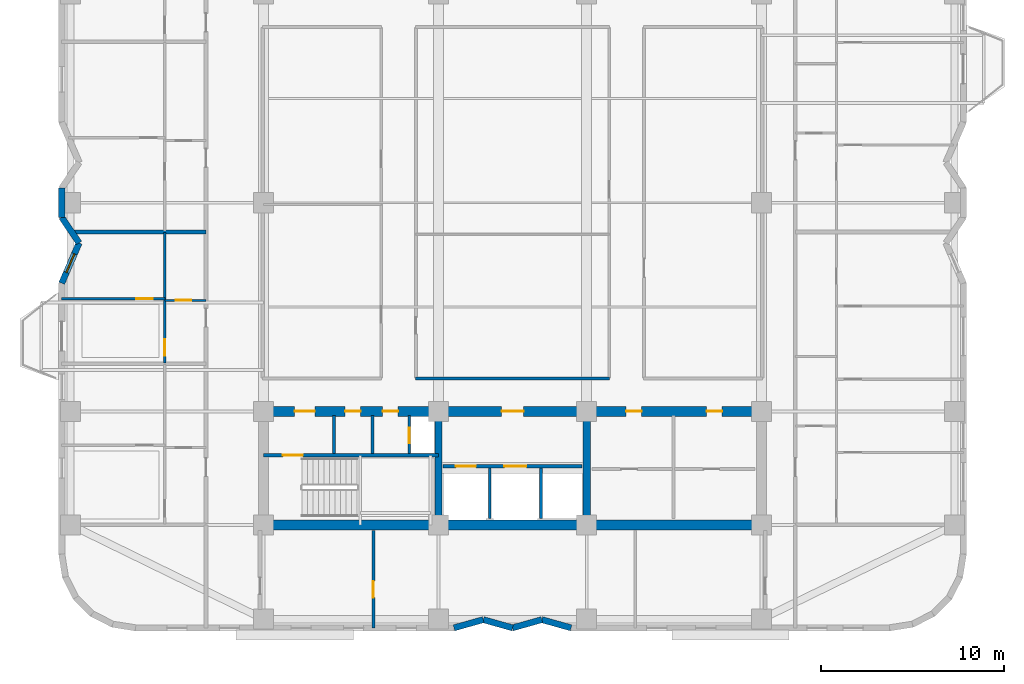
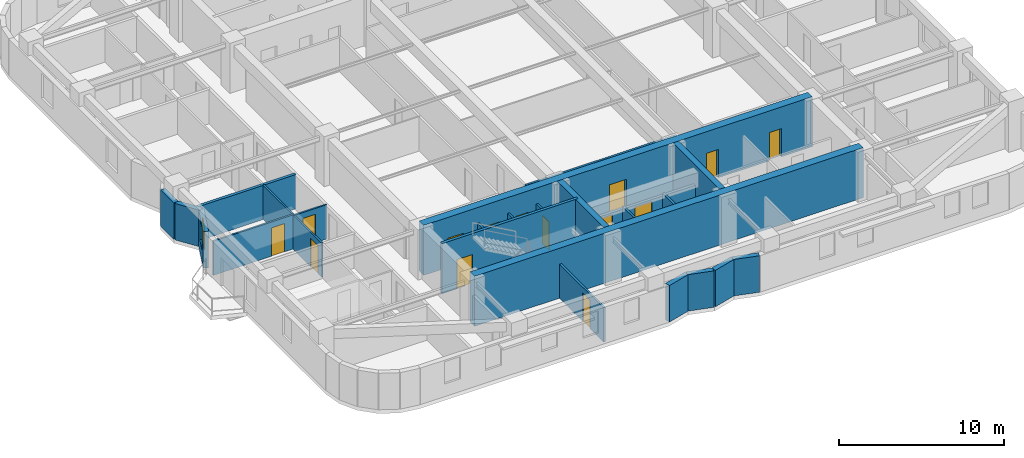
# One storey, part 3 of 10: 24 walls, 14 doors, 1 window, 15 openings.
"""IFC4 building model written with IfcOpenShell, lengths in metres."""

import ifcopenshell
import ifcopenshell.guid

model = None  # the IFC model being written
_history = None  # IfcOwnerHistory: only IFC2X3 demands one
_inside = {}  # id of a spatial element -> (the spatial element, [elements in it])
_under = {}  # id of a project, library or spatial element -> (it, [spatial elements below it])
_declared = {}  # id of a project -> (the project, [libraries it declares])
_typed = {}  # id of a type object -> (the type object, [elements of that type])
_made_of = {}  # id of a material, layer set ... -> (it, [elements and type objects made of it])


def new_model(schema):
    """Start an empty IFC model of exactly this schema.

    Asked for "IFC4X3", IfcOpenShell would pick the latest addendum, in which some entities
    have other attributes; the version numbers below select the first issue.
    IFC2X3 requires an IfcOwnerHistory on every rooted entity: one is made here for all.
    """
    global model, _history
    if schema == "IFC4X3":
        model = ifcopenshell.file(schema_version=(4, 3, 0, 0))
    else:
        model = ifcopenshell.file(schema=schema)
    _inside.clear()
    _under.clear()
    _declared.clear()
    _typed.clear()
    _made_of.clear()
    _history = None
    if model.schema == "IFC2X3":
        org = make("IfcOrganization", Name="unknown")
        user = make(
            "IfcPersonAndOrganization",
            ThePerson=make("IfcPerson", FamilyName="unknown"),
            TheOrganization=org,
        )
        app = make(
            "IfcApplication",
            ApplicationDeveloper=org,
            Version="unknown",
            ApplicationFullName="unknown",
            ApplicationIdentifier="unknown",
        )
        _history = make(
            "IfcOwnerHistory",
            OwningUser=user,
            OwningApplication=app,
            ChangeAction="ADDED",
            CreationDate=0,
        )
    return model


def make(cls, **values):
    """One entity of the class cls with the attributes given. An attribute that is None is left unset."""
    return model.create_entity(
        cls, **{name: value for name, value in values.items() if value is not None}
    )


def rooted(cls, **values):
    """An entity with a GlobalId (a new one), such as an element, a storey or a relation."""
    return make(cls, GlobalId=ifcopenshell.guid.new(), OwnerHistory=_history, **values)


def si_unit(unit_type, name, prefix=None):
    """IfcSIUnit, for example si_unit("LENGTHUNIT", "METRE", prefix="MILLI")."""
    return make("IfcSIUnit", UnitType=unit_type, Prefix=prefix, Name=name)


def assignment(units):
    """IfcUnitAssignment: the units of a project."""
    return None if units is None else make("IfcUnitAssignment", Units=units)


def point(xyz):
    """IfcCartesianPoint."""
    return None if xyz is None else make("IfcCartesianPoint", Coordinates=xyz)


def direction(xyz):
    """IfcDirection."""
    return None if xyz is None else make("IfcDirection", DirectionRatios=xyz)


def frame(location, z_axis=None, x_axis=None):
    """IfcAxis2Placement3D, a coordinate frame: its origin and axes. An axis left out is left unset."""
    return make(
        "IfcAxis2Placement3D",
        Location=point(location),
        Axis=direction(z_axis),
        RefDirection=direction(x_axis),
    )


def frame_2d(location, x_axis=None):
    """IfcAxis2Placement2D, a coordinate frame in the plane: its origin and x axis."""
    return make(
        "IfcAxis2Placement2D", Location=point(location), RefDirection=direction(x_axis)
    )


def origin():
    """The frame at (0, 0, 0) with its axes left unset."""
    return frame((0.0, 0.0, 0.0))


def place(relative_to, where):
    """IfcLocalPlacement: puts the frame where relative to a parent placement (None: the world)."""
    return make(
        "IfcLocalPlacement", PlacementRelTo=relative_to, RelativePlacement=where
    )


def context(
    kind, dimensions, precision=None, world=None, true_north=None, identifier=None
):
    """IfcGeometricRepresentationContext, for example the 3D "Model" context."""
    return make(
        "IfcGeometricRepresentationContext",
        ContextIdentifier=identifier,
        ContextType=kind,
        CoordinateSpaceDimension=dimensions,
        Precision=precision,
        WorldCoordinateSystem=world,
        TrueNorth=true_north,
    )


def subcontext(parent, identifier, kind, view, scale=None):
    """IfcGeometricRepresentationSubContext, for example "Body" below "Model"."""
    return make(
        "IfcGeometricRepresentationSubContext",
        ContextIdentifier=identifier,
        ContextType=kind,
        ParentContext=parent,
        TargetScale=scale,
        TargetView=view,
    )


def project(units=None, contexts=None):
    """IfcProject with its units and contexts."""
    return rooted(
        "IfcProject",
        Name="project",
        RepresentationContexts=contexts,
        UnitsInContext=assignment(units),
    )


def spatial(cls, under=None, at=None, **own):
    """A site, building, storey or space (cls), placed at a placement, below another one or the project."""
    s = rooted(cls, ObjectPlacement=at, **own)
    if under is not None:
        _under.setdefault(under.id(), (under, []))[1].append(s)
    return s


def profile(cls, at=None, kind="AREA", **sizes):
    """A parametric profile (cls). Its sizes go by their IFC names, for example OverallWidth=200.0."""
    return make(cls, ProfileType=kind, Position=at, **sizes)


def rectangle(**sizes):
    """IfcRectangleProfileDef."""
    return profile("IfcRectangleProfileDef", **sizes)


def extrude(swept, where, along, depth):
    """IfcExtrudedAreaSolid: the profile swept, set in the frame where, extruded along a direction by depth."""
    return make(
        "IfcExtrudedAreaSolid",
        SweptArea=swept,
        Position=where,
        ExtrudedDirection=direction(along),
        Depth=depth,
    )


def shape(context_of_items, identifier, shape_type, items):
    """IfcShapeRepresentation: the items that make up one representation, for example the "Body"."""
    return make(
        "IfcShapeRepresentation",
        ContextOfItems=context_of_items,
        RepresentationIdentifier=identifier,
        RepresentationType=shape_type,
        Items=items,
    )


def material(Name=None, Category=None):
    """IfcMaterial."""
    return make("IfcMaterial", Name=Name, Category=Category)


def layer(
    of_material, thickness, ventilated=None, Name=None, Category=None, Priority=None
):
    """IfcMaterialLayer: one layer of a wall or slab, of a material (None: an air gap)."""
    return make(
        "IfcMaterialLayer",
        Material=of_material,
        LayerThickness=thickness,
        IsVentilated=ventilated,
        Name=Name,
        Category=Category,
        Priority=Priority,
    )


def layer_set(layers, Name=None):
    """IfcMaterialLayerSet."""
    return make("IfcMaterialLayerSet", MaterialLayers=layers, LayerSetName=Name)


def made_of(thing, what):
    """Note that an element or type object is made of a material, layer set ...; save() writes the relation."""
    if what is not None:
        _made_of.setdefault(what.id(), (what, []))[1].append(thing)
    return thing


def type_object(cls, material=None, **own):
    """A type object (cls), such as IfcWallType, which elements share."""
    return made_of(rooted(cls, **own), material)


def element(
    cls,
    number,
    at=None,
    inside=None,
    cuts=None,
    type_object=None,
    material=None,
    context=None,
    identifier="Body",
    shape_type=None,
    held_by="IfcProductDefinitionShape",
    body=None,
    shapes=None,
    **own,
):
    """One element of the class cls, such as IfcWall. Its Tag is "e" and its number.

    at: its placement. inside: the storey or other place that contains it. cuts: it is an
    opening in that element (IfcRelVoidsElement). A single representation is given by context,
    identifier, shape_type and body (its items); several are given by shapes. held_by: the class
    of the entity that holds the representations. save() writes the other relations.
    """
    e = rooted(cls, Tag="e%d" % number, ObjectPlacement=at, **own)
    if body is not None:
        shapes = [shape(context, identifier, shape_type, body)]
    if shapes is not None:
        e.Representation = make(held_by, Representations=shapes)
    if inside is not None:
        _inside.setdefault(inside.id(), (inside, []))[1].append(e)
    if cuts is not None:
        rooted(
            "IfcRelVoidsElement", RelatingBuildingElement=cuts, RelatedOpeningElement=e
        )
    if type_object is not None:
        _typed.setdefault(type_object.id(), (type_object, []))[1].append(e)
    return made_of(e, material)


def fill(opening, filler):
    """IfcRelFillsElement: the door or window that sits in an opening."""
    return rooted(
        "IfcRelFillsElement",
        RelatingOpeningElement=opening,
        RelatedBuildingElement=filler,
    )


def aggregate(whole, parts):
    """IfcRelAggregates: a whole, such as a stair, and the parts it consists of."""
    return rooted("IfcRelAggregates", RelatingObject=whole, RelatedObjects=parts)


def save(model, path):
    """Write the relations noted so far, then the file.

    IfcRelAggregates (storeys below a building ...), IfcRelContainedInSpatialStructure (elements
    in a storey), IfcRelDefinesByType, IfcRelAssociatesMaterial and IfcRelDeclares: one each for
    every whole, place, type object, material and project.
    """
    for whole, parts in _under.values():
        aggregate(whole, parts)
    for where, things in _inside.values():
        rooted(
            "IfcRelContainedInSpatialStructure",
            RelatedElements=things,
            RelatingStructure=where,
        )
    for kind, things in _typed.values():
        rooted("IfcRelDefinesByType", RelatedObjects=things, RelatingType=kind)
    for what, things in _made_of.values():
        rooted("IfcRelAssociatesMaterial", RelatedObjects=things, RelatingMaterial=what)
    for by, libraries in _declared.values():
        rooted("IfcRelDeclares", RelatingContext=by, RelatedDefinitions=libraries)
    model.write(path)


model = new_model("IFC4")

# Units and contexts
model_context = context("Model", 3, precision=1e-05, world=origin(), true_north=direction((0.0, 1.0)))
body_context = subcontext(model_context, "Body", "Model", "MODEL_VIEW")
ifc_project = project(units=[si_unit("LENGTHUNIT", "METRE"), si_unit("AREAUNIT", "SQUARE_METRE"), si_unit("VOLUMEUNIT", "CUBIC_METRE"), si_unit("PLANEANGLEUNIT", "RADIAN"), si_unit("MASSUNIT", "GRAM", prefix="KILO")], contexts=[model_context])

# Site, building, storey
site_placement = place(None, origin())
site = spatial("IfcSite", under=ifc_project, at=site_placement, CompositionType="ELEMENT")
building_placement = place(site_placement, origin())
building = spatial("IfcBuilding", under=site, at=building_placement, Name="Svetorya Sky Lyceum", CompositionType="ELEMENT")
storey_placement = place(building_placement, frame((0.0, 0.0, 95.699951171875)))
storey = spatial("IfcBuildingStorey", under=building, at=storey_placement, Name="L23", CompositionType="ELEMENT", Elevation=95.699951171875)

# Walls
ifc_material_1 = material(Name="Concrete C40/50", Category="concrete")
ifc_layer_1 = layer(ifc_material_1, 0.39990234375)
ifc_layer_set_1 = layer_set([ifc_layer_1], Name="Concrete C40/50")
wall_type_1 = type_object("IfcWallType", Name="WL-CORE-400", PredefinedType="SHEAR", material=ifc_layer_set_1)
for number, where, z_axis, x_axis, name in (
    (1, (35.14990234375, 10.875, 0.0), (0.0, 0.0, 1.0), (0.0, 1.0, 0.0), "L23 SC Internal Shear Web WEB1"),
    (2, (43.25, 10.875, 0.0), (0.0, 0.0, 1.0), (0.0, 1.0, 0.0), "L23 SC Internal Shear Web WEB2"),
):
    element("IfcWall", number, at=place(storey_placement, frame(where, z_axis=z_axis, x_axis=x_axis)), inside=storey, type_object=wall_type_1, Name=name, PredefinedType="SHEAR", context=body_context, shape_type="SweptSolid", body=[
        extrude(rectangle(XDim=5.64990234375, YDim=0.39990234375, at=frame_2d((2.824951171875, 0.0))), origin(), (0.0, 0.0, 1.0), 3.699951171875),
    ])
ifc_material_2 = material(Name="Concrete C60/75", Category="concrete")
ifc_layer_2 = layer(ifc_material_2, 0.550048828125)
ifc_layer_set_2 = layer_set([ifc_layer_2], Name="Concrete C60/75")
wall_type_2 = type_object("IfcWallType", Name="WL-CORE-550", PredefinedType="SHEAR", material=ifc_layer_set_2)
wall_1_placement = place(storey_placement, frame((52.800048828125, 10.60009765625, 0.0), z_axis=(0.0, 0.0, 1.0), x_axis=(-1.0, 0.0, 0.0)))
element("IfcWall", 3, at=wall_1_placement, inside=storey, type_object=wall_type_2, Name="L23 SC Outer Core Shear Wall", PredefinedType="SHEAR", context=body_context, shape_type="SweptSolid", body=[
    extrude(rectangle(XDim=27.199951171875, YDim=0.550048828125, at=frame_2d((13.60009765625, 0.0))), origin(), (0.0, 0.0, 1.0), 3.699951171875),
])

# Wall, openings, doors
wall_2_placement = place(storey_placement, frame((25.60009765625, 16.800048828125, 0.0), z_axis=(0.0, 0.0, 1.0), x_axis=(1.0, 0.0, 0.0)))
wall_2 = element("IfcWall", 4, at=wall_2_placement, inside=storey, type_object=wall_type_2, Name="L23 SC Inner Core Shear Wall", PredefinedType="SHEAR", context=body_context, shape_type="SweptSolid", body=[
    extrude(rectangle(XDim=27.199951171875, YDim=0.550048828125, at=frame_2d((13.60009765625, 0.0))), origin(), (0.0, 0.0, 1.0), 3.699951171875),
])
opening_1_placement = place(wall_2_placement, frame((1.699951171875, 0.0, 0.0)))
opening_1 = element("IfcOpeningElement", 5, at=opening_1_placement, cuts=wall_2, Name="Opening D-ST1", PredefinedType="OPENING", context=body_context, shape_type="SweptSolid", body=[
    extrude(rectangle(XDim=1.10009765625, YDim=2.14990234375, at=frame_2d((0.550048828125, 1.074951171875))), frame((0.0, 0.284912109375, 0.0), z_axis=(0.0, -1.0, 0.0), x_axis=(1.0, 0.0, 0.0)), (0.0, 0.0, 1.0), 0.570068359375),
])
opening_2_placement = place(wall_2_placement, frame((4.449951171875, 0.0, 0.0)))
opening_2 = element("IfcOpeningElement", 6, at=opening_2_placement, cuts=wall_2, Name="Opening D-CWC1", PredefinedType="OPENING", context=body_context, shape_type="SweptSolid", body=[
    extrude(rectangle(XDim=0.85009765625, YDim=2.10009765625, at=frame_2d((0.425048828125, 1.050048828125))), frame((0.0, 0.284912109375, 0.0), z_axis=(0.0, -1.0, 0.0), x_axis=(1.0, 0.0, 0.0)), (0.0, 0.0, 1.0), 0.570068359375),
])
opening_3_placement = place(wall_2_placement, frame((6.5, 0.0, 0.0)))
opening_3 = element("IfcOpeningElement", 7, at=opening_3_placement, cuts=wall_2, Name="Opening D-CWC1", PredefinedType="OPENING", context=body_context, shape_type="SweptSolid", body=[
    extrude(rectangle(XDim=0.85009765625, YDim=2.10009765625, at=frame_2d((0.425048828125, 1.050048828125))), frame((0.0, 0.284912109375, 0.0), z_axis=(0.0, -1.0, 0.0), x_axis=(1.0, 0.0, 0.0)), (0.0, 0.0, 1.0), 0.570068359375),
])
opening_4_placement = place(wall_2_placement, frame((13.0, 0.0, 0.0)))
opening_4 = element("IfcOpeningElement", 8, at=opening_4_placement, cuts=wall_2, Name="Opening D-FL1", PredefinedType="OPENING", context=body_context, shape_type="SweptSolid", body=[
    extrude(rectangle(XDim=1.199951171875, YDim=2.14990234375, at=frame_2d((0.60009765625, 1.074951171875))), frame((0.0, 0.284912109375, 0.0), z_axis=(0.0, -1.0, 0.0), x_axis=(1.0, 0.0, 0.0)), (0.0, 0.0, 1.0), 0.570068359375),
])
opening_5_placement = place(wall_2_placement, frame((19.800048828125, 0.0, 0.0)))
opening_5 = element("IfcOpeningElement", 9, at=opening_5_placement, cuts=wall_2, Name="Opening D-CWC1", PredefinedType="OPENING", context=body_context, shape_type="SweptSolid", body=[
    extrude(rectangle(XDim=0.85009765625, YDim=2.10009765625, at=frame_2d((0.425048828125, 1.050048828125))), frame((0.0, 0.284912109375, 0.0), z_axis=(0.0, -1.0, 0.0), x_axis=(1.0, 0.0, 0.0)), (0.0, 0.0, 1.0), 0.570068359375),
])
opening_6_placement = place(wall_2_placement, frame((24.199951171875, 0.0, 0.0)))
opening_6 = element("IfcOpeningElement", 10, at=opening_6_placement, cuts=wall_2, Name="Opening D-CWC1", PredefinedType="OPENING", context=body_context, shape_type="SweptSolid", body=[
    extrude(rectangle(XDim=0.85009765625, YDim=2.10009765625, at=frame_2d((0.425048828125, 1.050048828125))), frame((0.0, 0.284912109375, 0.0), z_axis=(0.0, -1.0, 0.0), x_axis=(1.0, 0.0, 0.0)), (0.0, 0.0, 1.0), 0.570068359375),
])
ifc_material_3 = material(Name="Fire-rated galvanized steel core service closet door", Category="steel")
door_type_1 = type_object("IfcDoorType", Name="DR-CWET-850", OperationType="SINGLE_SWING_LEFT", PredefinedType="DOOR", material=ifc_material_3)
door_1_placement = place(opening_2_placement, origin())
door_1 = element("IfcDoor", 11, at=door_1_placement, inside=storey, type_object=door_type_1, Name="L23 South Mop Closet Door", OperationType="SINGLE_SWING_LEFT", OverallHeight=2.10009765625, OverallWidth=0.85009765625, PredefinedType="DOOR", context=body_context, shape_type="SweptSolid", body=[
    extrude(rectangle(XDim=0.85009765625, YDim=2.10009765625, at=frame_2d((0.425048828125, 1.050048828125))), frame((0.0, 0.02490234375, 0.0), z_axis=(0.0, -1.0, 0.0), x_axis=(1.0, 0.0, 0.0)), (0.0, 0.0, 1.0), 0.050048828125),
])
fill(opening_2, door_1)
door_2_placement = place(opening_3_placement, origin())
door_2 = element("IfcDoor", 12, at=door_2_placement, inside=storey, type_object=door_type_1, Name="L23 South West WC Door", OperationType="SINGLE_SWING_RIGHT", OverallHeight=2.10009765625, OverallWidth=0.85009765625, PredefinedType="DOOR", context=body_context, shape_type="SweptSolid", body=[
    extrude(rectangle(XDim=0.85009765625, YDim=2.10009765625, at=frame_2d((0.425048828125, 1.050048828125))), frame((0.0, 0.02490234375, 0.0), z_axis=(0.0, -1.0, 0.0), x_axis=(1.0, 0.0, 0.0)), (0.0, 0.0, 1.0), 0.050048828125),
])
fill(opening_3, door_2)
door_3_placement = place(opening_5_placement, origin())
door_3 = element("IfcDoor", 13, at=door_3_placement, inside=storey, type_object=door_type_1, Name="L23 Housekeeping Door", OperationType="SINGLE_SWING_LEFT", OverallHeight=2.10009765625, OverallWidth=0.85009765625, PredefinedType="DOOR", context=body_context, shape_type="SweptSolid", body=[
    extrude(rectangle(XDim=0.85009765625, YDim=2.10009765625, at=frame_2d((0.425048828125, 1.050048828125))), frame((0.0, 0.02490234375, 0.0), z_axis=(0.0, -1.0, 0.0), x_axis=(1.0, 0.0, 0.0)), (0.0, 0.0, 1.0), 0.050048828125),
])
fill(opening_5, door_3)
door_4_placement = place(opening_6_placement, origin())
door_4 = element("IfcDoor", 14, at=door_4_placement, inside=storey, type_object=door_type_1, Name="L23 South WC Door", OperationType="SINGLE_SWING_RIGHT", OverallHeight=2.10009765625, OverallWidth=0.85009765625, PredefinedType="DOOR", context=body_context, shape_type="SweptSolid", body=[
    extrude(rectangle(XDim=0.85009765625, YDim=2.10009765625, at=frame_2d((0.425048828125, 1.050048828125))), frame((0.0, 0.02490234375, 0.0), z_axis=(0.0, -1.0, 0.0), x_axis=(1.0, 0.0, 0.0)), (0.0, 0.0, 1.0), 0.050048828125),
])
fill(opening_6, door_4)
ifc_material_4 = material(Name="Powder-coated insulated galvanized stair fire door")
door_type_2 = type_object("IfcDoorType", Name="DR-FIRE-1100", OperationType="SINGLE_SWING_LEFT", PredefinedType="DOOR", material=ifc_material_4)
door_5_placement = place(opening_1_placement, origin())
door_5 = element("IfcDoor", 15, at=door_5_placement, inside=storey, type_object=door_type_2, Name="L23 South Stair Airlock Door", OperationType="SINGLE_SWING_RIGHT", OverallHeight=2.14990234375, OverallWidth=1.10009765625, PredefinedType="DOOR", context=body_context, shape_type="SweptSolid", body=[
    extrude(rectangle(XDim=1.10009765625, YDim=2.14990234375, at=frame_2d((0.550048828125, 1.074951171875))), frame((0.0, 0.02490234375, 0.0), z_axis=(0.0, -1.0, 0.0), x_axis=(1.0, 0.0, 0.0)), (0.0, 0.0, 1.0), 0.050048828125),
])
fill(opening_1, door_5)
ifc_material_5 = material(Name="Powder-coated insulated galvanized fire door")
door_type_3 = type_object("IfcDoorType", Name="DR-FIRE-1200", OperationType="SINGLE_SWING_LEFT", PredefinedType="DOOR", material=ifc_material_5)
door_6_placement = place(opening_4_placement, origin())
door_6 = element("IfcDoor", 16, at=door_6_placement, inside=storey, type_object=door_type_3, Name="L23 South Firefighting Lift Lobby Door", OperationType="SINGLE_SWING_LEFT", OverallHeight=2.14990234375, OverallWidth=1.199951171875, PredefinedType="DOOR", context=body_context, shape_type="SweptSolid", body=[
    extrude(rectangle(XDim=1.199951171875, YDim=2.14990234375, at=frame_2d((0.60009765625, 1.074951171875))), frame((0.0, 0.02490234375, 0.0), z_axis=(0.0, -1.0, 0.0), x_axis=(1.0, 0.0, 0.0)), (0.0, 0.0, 1.0), 0.050048828125),
])
fill(opening_4, door_6)

# Walls
ifc_material_6 = material(Name="Putilovo limestone rainscreen on autoclaved cellular masonry", Category="masonry")
ifc_layer_3 = layer(ifc_material_6, 0.340087890625)
ifc_layer_set_3 = layer_set([ifc_layer_3], Name="Putilovo limestone rainscreen on autoclaved cellular masonry")
wall_type_3 = type_object("IfcWallType", Name="WL-EXT-340", PredefinedType="SOLIDWALL", material=ifc_layer_set_3)
wall_3_placement = place(storey_placement, frame((36.0, 4.969970703125, 0.0), z_axis=(0.0, 0.0, 1.0), x_axis=(0.962662902433, 0.270703040766, 0.0)))
element("IfcWall", 17, at=wall_3_placement, inside=storey, type_object=wall_type_3, Name="L23 Limestone Exterior Wall 7M", PredefinedType="SOLIDWALL", context=body_context, shape_type="SweptSolid", body=[
    extrude(rectangle(XDim=1.662109375, YDim=0.340087890625, at=frame_2d((0.8310546875, 0.0))), origin(), (0.0, 0.0, 1.0), 2.699951171875),
])
wall_4_placement = place(storey_placement, frame((37.60009765625, 5.419921875, 0.0), z_axis=(0.0, 0.0, 1.0), x_axis=(0.962652136636, -0.270741322725, 0.0)))
element("IfcWall", 18, at=wall_4_placement, inside=storey, type_object=wall_type_3, Name="L23 Limestone Exterior Wall 8M", PredefinedType="SOLIDWALL", context=body_context, shape_type="SweptSolid", body=[
    extrude(rectangle(XDim=1.661865234375, YDim=0.340087890625, at=frame_2d((0.8310546875, 0.0))), origin(), (0.0, 0.0, 1.0), 2.699951171875),
])
wall_5_placement = place(storey_placement, frame((39.199951171875, 4.969970703125, 0.0), z_axis=(0.0, 0.0, 1.0), x_axis=(0.962662902433, 0.270703040766, 0.0)))
element("IfcWall", 19, at=wall_5_placement, inside=storey, type_object=wall_type_3, Name="L23 Limestone Exterior Wall 9M", PredefinedType="SOLIDWALL", context=body_context, shape_type="SweptSolid", body=[
    extrude(rectangle(XDim=1.662109375, YDim=0.340087890625, at=frame_2d((0.8310546875, 0.0))), origin(), (0.0, 0.0, 1.0), 2.699951171875),
])
wall_6_placement = place(storey_placement, frame((40.800048828125, 5.419921875, 0.0), z_axis=(0.0, 0.0, 1.0), x_axis=(0.962652136636, -0.270741322725, 0.0)))
element("IfcWall", 20, at=wall_6_placement, inside=storey, type_object=wall_type_3, Name="L23 Limestone Exterior Wall 10M", PredefinedType="SOLIDWALL", context=body_context, shape_type="SweptSolid", body=[
    extrude(rectangle(XDim=1.661865234375, YDim=0.340087890625, at=frame_2d((0.8310546875, 0.0))), origin(), (0.0, 0.0, 1.0), 2.699951171875),
])
wall_7_placement = place(storey_placement, frame((14.570068359375, 29.0, 0.0), z_axis=(0.0, 0.0, 1.0), x_axis=(0.0, -1.0, 0.0)))
element("IfcWall", 21, at=wall_7_placement, inside=storey, type_object=wall_type_3, Name="L23 Limestone Exterior Wall 43M", PredefinedType="SOLIDWALL", context=body_context, shape_type="SweptSolid", body=[
    extrude(rectangle(XDim=1.60009765625, YDim=0.340087890625, at=frame_2d((0.800048828125, 0.0))), origin(), (0.0, 0.0, 1.0), 2.699951171875),
])
wall_8_placement = place(storey_placement, frame((14.570068359375, 27.39990234375, 0.0), z_axis=(0.0, 0.0, 1.0), x_axis=(0.561508476251, -0.827470985049, 0.0)))
element("IfcWall", 22, at=wall_8_placement, inside=storey, type_object=wall_type_3, Name="L23 Limestone Exterior Wall 44M", PredefinedType="SOLIDWALL", context=body_context, shape_type="SweptSolid", body=[
    extrude(rectangle(XDim=1.69189453125, YDim=0.340087890625, at=frame_2d((0.845947265625, 0.0))), origin(), (0.0, 0.0, 1.0), 2.699951171875),
])

# Wall, opening, window
wall_9_placement = place(storey_placement, frame((15.52001953125, 26.0, 0.0), z_axis=(0.0, 0.0, 1.0), x_axis=(-0.396426258231, -0.918066567186, 0.0)))
wall_9 = element("IfcWall", 23, at=wall_9_placement, inside=storey, type_object=wall_type_3, Name="L23 Limestone Exterior Wall 45M", PredefinedType="SOLIDWALL", context=body_context, shape_type="SweptSolid", body=[
    extrude(rectangle(XDim=2.396240234375, YDim=0.340087890625, at=frame_2d((1.1982421875, 0.0))), origin(), (0.0, 0.0, 1.0), 2.699951171875),
])
opening_7_placement = place(wall_9_placement, frame((0.648193359375, 0.0, 0.889892578125)))
opening_7 = element("IfcOpeningElement", 24, at=opening_7_placement, cuts=wall_9, Name="Opening W-R3", PredefinedType="OPENING", context=body_context, shape_type="SweptSolid", body=[
    extrude(rectangle(XDim=1.10009765625, YDim=1.64990234375, at=frame_2d((0.550048828125, 0.824951171875))), frame((0.0, 0.179931640625, 0.0), z_axis=(0.0, -1.0, 0.0), x_axis=(1.0, 0.0, 0.0)), (0.0, 0.0, 1.0), 0.360107421875),
])
ifc_material_7 = material(Name="Thermally broken aluminium frame with triple low-E glazing", Category="aluminium")
window_type = type_object("IfcWindowType", Name="WN-RES-110", PartitioningType="SINGLE_PANEL", PredefinedType="WINDOW", material=ifc_material_7)
window_placement = place(opening_7_placement, origin())
window = element("IfcWindow", 25, at=window_placement, inside=storey, type_object=window_type, Name="L23 Facade Window W-R3.45M.1", OverallHeight=1.64990234375, OverallWidth=1.10009765625, PartitioningType="SINGLE_PANEL", PredefinedType="WINDOW", context=body_context, shape_type="SweptSolid", body=[
    extrude(rectangle(XDim=1.10009765625, YDim=1.64990234375, at=frame_2d((0.550048828125, 0.824951171875))), frame((0.0, 0.030029296875, 0.0), z_axis=(0.0, -1.0, 0.0), x_axis=(1.0, 0.0, 0.0)), (0.0, 0.0, 1.0), 0.06005859375),
])
fill(opening_7, window)

# Wall, opening, door
ifc_material_8 = material(Name="Twin-stud galvanized framing with double fireboard", Category="gypsum")
ifc_layer_4 = layer(ifc_material_8, 0.1201171875)
ifc_layer_set_4 = layer_set([ifc_layer_4], Name="Twin-stud galvanized framing with double fireboard")
wall_type_4 = type_object("IfcWallType", Name="WL-PART-120", PredefinedType="PARTITIONING", material=ifc_layer_set_4)
wall_10_placement = place(storey_placement, frame((20.199951171875, 22.860107421875, 0.0), z_axis=(0.0, 0.0, 1.0), x_axis=(1.0, 0.0, 0.0)))
wall_10 = element("IfcWall", 26, at=wall_10_placement, inside=storey, type_object=wall_type_4, Name="L23 Interior Partition W2-WH1", PredefinedType="PARTITIONING", context=body_context, shape_type="SweptSolid", body=[
    extrude(rectangle(XDim=2.25, YDim=0.1201171875, at=frame_2d((1.125, 0.0))), origin(), (0.0, 0.0, 1.0), 2.530029296875),
])
opening_8_placement = place(wall_10_placement, frame((0.60009765625, 0.0, 0.0)))
opening_8 = element("IfcOpeningElement", 27, at=opening_8_placement, cuts=wall_10, Name="Opening D-BT1", PredefinedType="OPENING", context=body_context, shape_type="SweptSolid", body=[
    extrude(rectangle(XDim=0.85009765625, YDim=2.10009765625, at=frame_2d((0.425048828125, 1.050048828125))), frame((0.0, 0.070068359375, 0.0), z_axis=(0.0, -1.0, 0.0), x_axis=(1.0, 0.0, 0.0)), (0.0, 0.0, 1.0), 0.14013671875),
])
ifc_material_9 = material(Name="Moisture-resistant laminate bathroom door")
door_type_4 = type_object("IfcDoorType", Name="DR-WET-850", OperationType="SINGLE_SWING_LEFT", PredefinedType="DOOR", material=ifc_material_9)
door_7_placement = place(opening_8_placement, origin())
door_7 = element("IfcDoor", 28, at=door_7_placement, inside=storey, type_object=door_type_4, Name="Apartment W2 Bathroom Door", OperationType="SINGLE_SWING_RIGHT", OverallHeight=2.10009765625, OverallWidth=0.85009765625, PredefinedType="DOOR", context=body_context, shape_type="SweptSolid", body=[
    extrude(rectangle(XDim=0.85009765625, YDim=2.10009765625, at=frame_2d((0.425048828125, 1.050048828125))), frame((0.0, 0.02490234375, 0.0), z_axis=(0.0, -1.0, 0.0), x_axis=(1.0, 0.0, 0.0)), (0.0, 0.0, 1.0), 0.050048828125),
])
fill(opening_8, door_7)

wall_11_placement = place(storey_placement, frame((14.570068359375, 22.949951171875, 0.0), z_axis=(0.0, 0.0, 1.0), x_axis=(1.0, 0.0, 0.0)))
wall_11 = element("IfcWall", 29, at=wall_11_placement, inside=storey, type_object=wall_type_4, Name="L23 Interior Partition W2-WL1", PredefinedType="PARTITIONING", context=body_context, shape_type="SweptSolid", body=[
    extrude(rectangle(XDim=5.6298828125, YDim=0.1201171875, at=frame_2d((2.81494140625, 0.0))), origin(), (0.0, 0.0, 1.0), 2.530029296875),
])
opening_9_placement = place(wall_11_placement, frame((4.080078125, 0.0, 0.0)))
opening_9 = element("IfcOpeningElement", 30, at=opening_9_placement, cuts=wall_11, Name="Opening D-RM1", PredefinedType="OPENING", context=body_context, shape_type="SweptSolid", body=[
    extrude(rectangle(XDim=0.89990234375, YDim=2.10009765625, at=frame_2d((0.449951171875, 1.050048828125))), frame((0.0, 0.070068359375, 0.0), z_axis=(0.0, -1.0, 0.0), x_axis=(1.0, 0.0, 0.0)), (0.0, 0.0, 1.0), 0.14013671875),
])
ifc_material_10 = material(Name="Lacquered birch veneer internal door")
door_type_5 = type_object("IfcDoorType", Name="DR-INT-900", OperationType="SINGLE_SWING_LEFT", PredefinedType="DOOR", material=ifc_material_10)
door_8_placement = place(opening_9_placement, origin())
door_8 = element("IfcDoor", 31, at=door_8_placement, inside=storey, type_object=door_type_5, Name="Apartment W2 Bedroom 1 Door", OperationType="SINGLE_SWING_RIGHT", OverallHeight=2.10009765625, OverallWidth=0.89990234375, PredefinedType="DOOR", context=body_context, shape_type="SweptSolid", body=[
    extrude(rectangle(XDim=0.89990234375, YDim=2.10009765625, at=frame_2d((0.449951171875, 1.050048828125))), frame((0.0, 0.02490234375, 0.0), z_axis=(0.0, -1.0, 0.0), x_axis=(1.0, 0.0, 0.0)), (0.0, 0.0, 1.0), 0.050048828125),
])
fill(opening_9, door_8)

wall_12_placement = place(storey_placement, frame((20.199951171875, 19.43994140625, 0.0), z_axis=(0.0, 0.0, 1.0), x_axis=(0.0, 1.0, 0.0)))
wall_12 = element("IfcWall", 32, at=wall_12_placement, inside=storey, type_object=wall_type_4, Name="L23 Interior Partition W2-WV", PredefinedType="PARTITIONING", context=body_context, shape_type="SweptSolid", body=[
    extrude(rectangle(XDim=7.1201171875, YDim=0.1201171875, at=frame_2d((3.56005859375, 0.0))), origin(), (0.0, 0.0, 1.0), 2.530029296875),
])
opening_10_placement = place(wall_12_placement, frame((0.409912109375, 0.0, 0.0)))
opening_10 = element("IfcOpeningElement", 33, at=opening_10_placement, cuts=wall_12, Name="Opening D-RM1", PredefinedType="OPENING", context=body_context, shape_type="SweptSolid", body=[
    extrude(rectangle(XDim=0.89990234375, YDim=2.10009765625, at=frame_2d((0.449951171875, 1.050048828125))), frame((0.0, 0.070068359375, 0.0), z_axis=(0.0, -1.0, 0.0), x_axis=(1.0, 0.0, 0.0)), (0.0, 0.0, 1.0), 0.14013671875),
])
door_9_placement = place(opening_10_placement, origin())
door_9 = element("IfcDoor", 34, at=door_9_placement, inside=storey, type_object=door_type_5, Name="Apartment W2 Living Door", OperationType="SINGLE_SWING_LEFT", OverallHeight=2.10009765625, OverallWidth=0.89990234375, PredefinedType="DOOR", context=body_context, shape_type="SweptSolid", body=[
    extrude(rectangle(XDim=0.89990234375, YDim=2.10009765625, at=frame_2d((0.449951171875, 1.050048828125))), frame((0.0, 0.02490234375, 0.0), z_axis=(0.0, -1.0, 0.0), x_axis=(1.0, 0.0, 0.0)), (0.0, 0.0, 1.0), 0.050048828125),
])
fill(opening_10, door_9)

# Walls
ifc_material_11 = material(Name="Autoclaved cellular masonry blockwork with acoustic render", Category="masonry")
ifc_layer_5 = layer(ifc_material_11, 0.14990234375)
ifc_layer_set_5 = layer_set([ifc_layer_5], Name="Autoclaved cellular masonry blockwork with acoustic render")
wall_type_5 = type_object("IfcWallType", Name="WL-PART-150", PredefinedType="PARTITIONING", material=ifc_layer_set_5)
for number, where, z_axis, x_axis, name in (
    (35, (29.449951171875, 14.5, 0.0), (0.0, 0.0, 1.0), (0.0, 1.0, 0.0), "L23 Interior Partition SC-SWD1"),
    (36, (31.550048828125, 14.5, 0.0), (0.0, 0.0, 1.0), (0.0, 1.0, 0.0), "L23 Interior Partition SC-SWD2"),
):
    element("IfcWall", number, at=place(storey_placement, frame(where, z_axis=z_axis, x_axis=x_axis)), inside=storey, type_object=wall_type_5, Name=name, PredefinedType="PARTITIONING", context=body_context, shape_type="SweptSolid", body=[
        extrude(rectangle(XDim=2.080078125, YDim=0.14990234375, at=frame_2d((1.0400390625, 0.0))), origin(), (0.0, 0.0, 1.0), 2.530029296875),
    ])

# Wall, opening, door
wall_13_placement = place(storey_placement, frame((33.550048828125, 14.5, 0.0), z_axis=(0.0, 0.0, 1.0), x_axis=(0.0, 1.0, 0.0)))
wall_13 = element("IfcWall", 37, at=wall_13_placement, inside=storey, type_object=wall_type_5, Name="L23 Interior Partition SC-SWD3", PredefinedType="PARTITIONING", context=body_context, shape_type="SweptSolid", body=[
    extrude(rectangle(XDim=2.080078125, YDim=0.14990234375, at=frame_2d((1.0400390625, 0.0))), origin(), (0.0, 0.0, 1.0), 2.530029296875),
])
opening_11_placement = place(wall_13_placement, frame((0.550048828125, 0.0, 0.0)))
opening_11 = element("IfcOpeningElement", 38, at=opening_11_placement, cuts=wall_13, Name="Opening D-SH1", PredefinedType="OPENING", context=body_context, shape_type="SweptSolid", body=[
    extrude(rectangle(XDim=0.85009765625, YDim=2.050048828125, at=frame_2d((0.425048828125, 1.02490234375))), frame((0.0, 0.0849609375, 0.0), z_axis=(0.0, -1.0, 0.0), x_axis=(1.0, 0.0, 0.0)), (0.0, 0.0, 1.0), 0.169921875),
])
ifc_material_12 = material(Name="Insulated galvanized riser inspection fire door")
door_type_6 = type_object("IfcDoorType", Name="DR-SHFT-850", OperationType="SINGLE_SWING_LEFT", PredefinedType="TRAPDOOR", material=ifc_material_12)
door_10_placement = place(opening_11_placement, origin())
door_10 = element("IfcDoor", 39, at=door_10_placement, inside=storey, type_object=door_type_6, Name="L23 South Riser Access Door", OperationType="SINGLE_SWING_RIGHT", OverallHeight=2.050048828125, OverallWidth=0.85009765625, PredefinedType="TRAPDOOR", context=body_context, shape_type="SweptSolid", body=[
    extrude(rectangle(XDim=0.85009765625, YDim=2.050048828125, at=frame_2d((0.425048828125, 1.02490234375))), frame((0.0, 0.02490234375, 0.0), z_axis=(0.0, -1.0, 0.0), x_axis=(1.0, 0.0, 0.0)), (0.0, 0.0, 1.0), 0.050048828125),
])
fill(opening_11, door_10)

# Walls
for number, where, z_axis, x_axis, name in (
    (40, (37.949951171875, 10.949951171875, 0.0), (0.0, 0.0, 1.0), (0.0, 1.0, 0.0), "L23 Interior Partition SC-SHD1"),
    (41, (40.75, 10.949951171875, 0.0), (0.0, 0.0, 1.0), (0.0, 1.0, 0.0), "L23 Interior Partition SC-SHD2"),
):
    element("IfcWall", number, at=place(storey_placement, frame(where, z_axis=z_axis, x_axis=x_axis)), inside=storey, type_object=wall_type_5, Name=name, PredefinedType="PARTITIONING", context=body_context, shape_type="SweptSolid", body=[
        extrude(rectangle(XDim=2.75, YDim=0.14990234375, at=frame_2d((1.375, 0.0))), origin(), (0.0, 0.0, 1.0), 2.530029296875),
    ])
wall_14_placement = place(storey_placement, frame((33.89990234375, 18.60009765625, 0.0), z_axis=(0.0, 0.0, 1.0), x_axis=(1.0, 0.0, 0.0)))
element("IfcWall", 42, at=wall_14_placement, inside=storey, type_object=wall_type_5, Name="L23 Interior Partition RL-CS-M", PredefinedType="PARTITIONING", context=body_context, shape_type="SweptSolid", body=[
    extrude(rectangle(XDim=10.60009765625, YDim=0.14990234375, at=frame_2d((5.300048828125, 0.0))), origin(), (0.0, 0.0, 1.0), 2.530029296875),
])

# Wall, opening, door
wall_15_placement = place(storey_placement, frame((31.60009765625, 4.969970703125, 0.0), z_axis=(0.0, 0.0, 1.0), x_axis=(0.0, 1.0, 0.0)))
wall_15 = element("IfcWall", 43, at=wall_15_placement, inside=storey, type_object=wall_type_5, Name="L23 Interior Partition S-D1", PredefinedType="PARTITIONING", context=body_context, shape_type="SweptSolid", body=[
    extrude(rectangle(XDim=5.330078125, YDim=0.14990234375, at=frame_2d((2.6650390625, 0.0))), origin(), (0.0, 0.0, 1.0), 2.530029296875),
])
opening_12_placement = place(wall_15_placement, frame((1.64990234375, 0.0, 0.0)))
opening_12 = element("IfcOpeningElement", 44, at=opening_12_placement, cuts=wall_15, Name="Opening D-RM1", PredefinedType="OPENING", context=body_context, shape_type="SweptSolid", body=[
    extrude(rectangle(XDim=0.89990234375, YDim=2.10009765625, at=frame_2d((0.449951171875, 1.050048828125))), frame((0.0, 0.0849609375, 0.0), z_axis=(0.0, -1.0, 0.0), x_axis=(1.0, 0.0, 0.0)), (0.0, 0.0, 1.0), 0.169921875),
])
door_11_placement = place(opening_12_placement, origin())
door_11 = element("IfcDoor", 45, at=door_11_placement, inside=storey, type_object=door_type_5, Name="L23 South Store Door", OperationType="SINGLE_SWING_LEFT", OverallHeight=2.10009765625, OverallWidth=0.89990234375, PredefinedType="DOOR", context=body_context, shape_type="SweptSolid", body=[
    extrude(rectangle(XDim=0.89990234375, YDim=2.10009765625, at=frame_2d((0.449951171875, 1.050048828125))), frame((0.0, 0.02490234375, 0.0), z_axis=(0.0, -1.0, 0.0), x_axis=(1.0, 0.0, 0.0)), (0.0, 0.0, 1.0), 0.050048828125),
])
fill(opening_12, door_11)

# Wall, openings, doors
ifc_material_13 = material(Name="Autoclaved cellular masonry blockwork with gypsum plaster", Category="masonry")
ifc_layer_6 = layer(ifc_material_13, 0.199951171875)
ifc_layer_set_6 = layer_set([ifc_layer_6], Name="Autoclaved cellular masonry blockwork with gypsum plaster")
wall_type_6 = type_object("IfcWallType", Name="WL-PART-200", PredefinedType="PARTITIONING", material=ifc_layer_set_6)
wall_16_placement = place(storey_placement, frame((35.39990234375, 13.800048828125, 0.0), z_axis=(0.0, 0.0, 1.0), x_axis=(1.0, 0.0, 0.0)))
wall_16 = element("IfcWall", 46, at=wall_16_placement, inside=storey, type_object=wall_type_6, Name="L23 Interior Partition SC-FLW", PredefinedType="PARTITIONING", context=body_context, shape_type="SweptSolid", body=[
    extrude(rectangle(XDim=7.60009765625, YDim=0.199951171875, at=frame_2d((3.800048828125, 0.0))), origin(), (0.0, 0.0, 1.0), 2.300048828125),
])
opening_13_placement = place(wall_16_placement, frame((0.699951171875, 0.0, 0.0)))
opening_13 = element("IfcOpeningElement", 47, at=opening_13_placement, cuts=wall_16, Name="Opening LD-FL", PredefinedType="OPENING", context=body_context, shape_type="SweptSolid", body=[
    extrude(rectangle(XDim=1.10009765625, YDim=2.14990234375, at=frame_2d((0.550048828125, 1.074951171875))), frame((0.0, 0.10986328125, 0.0), z_axis=(0.0, -1.0, 0.0), x_axis=(1.0, 0.0, 0.0)), (0.0, 0.0, 1.0), 0.219970703125),
])
opening_14_placement = place(wall_16_placement, frame((3.35009765625, 0.0, 0.0)))
opening_14 = element("IfcOpeningElement", 48, at=opening_14_placement, cuts=wall_16, Name="Opening LD-SV", PredefinedType="OPENING", context=body_context, shape_type="SweptSolid", body=[
    extrude(rectangle(XDim=1.199951171875, YDim=2.14990234375, at=frame_2d((0.60009765625, 1.074951171875))), frame((0.0, 0.10986328125, 0.0), z_axis=(0.0, -1.0, 0.0), x_axis=(1.0, 0.0, 0.0)), (0.0, 0.0, 1.0), 0.219970703125),
])
ifc_material_14 = material(Name="Fire-rated stainless AISI 304 firefighting lift landing door")
door_type_7 = type_object("IfcDoorType", Name="DR-LIFT-1100", OperationType="SLIDING_TO_LEFT", PredefinedType="DOOR", material=ifc_material_14)
door_12_placement = place(opening_13_placement, origin())
door_12 = element("IfcDoor", 49, at=door_12_placement, inside=storey, type_object=door_type_7, Name="L23 Firefighting Lift FL2 Landing Door", OperationType="SLIDING_TO_LEFT", OverallHeight=2.14990234375, OverallWidth=1.10009765625, PredefinedType="DOOR", context=body_context, shape_type="SweptSolid", body=[
    extrude(rectangle(XDim=1.10009765625, YDim=2.14990234375, at=frame_2d((0.550048828125, 1.074951171875))), frame((0.0, 0.02490234375, 0.0), z_axis=(0.0, -1.0, 0.0), x_axis=(1.0, 0.0, 0.0)), (0.0, 0.0, 1.0), 0.050048828125),
])
fill(opening_13, door_12)
ifc_material_15 = material(Name="Brushed stainless AISI 304 telescopic lift landing door")
door_type_8 = type_object("IfcDoorType", Name="DR-LIFT-1200", OperationType="SLIDING_TO_LEFT", PredefinedType="DOOR", material=ifc_material_15)
door_13_placement = place(opening_14_placement, origin())
door_13 = element("IfcDoor", 50, at=door_13_placement, inside=storey, type_object=door_type_8, Name="L23 Service Lift SVL1 Landing Door", OperationType="SLIDING_TO_LEFT", OverallHeight=2.14990234375, OverallWidth=1.199951171875, PredefinedType="DOOR", context=body_context, shape_type="SweptSolid", body=[
    extrude(rectangle(XDim=1.199951171875, YDim=2.14990234375, at=frame_2d((0.60009765625, 1.074951171875))), frame((0.0, 0.02490234375, 0.0), z_axis=(0.0, -1.0, 0.0), x_axis=(1.0, 0.0, 0.0)), (0.0, 0.0, 1.0), 0.050048828125),
])
fill(opening_14, door_13)

# Wall
wall_17_placement = place(storey_placement, frame((15.11279296875, 26.60009765625, 0.0), z_axis=(0.0, 0.0, 1.0), x_axis=(1.0, 0.0, 0.0)))
element("IfcWall", 51, at=wall_17_placement, inside=storey, type_object=wall_type_6, Name="L23 Interior Partition W-PARTY-2", PredefinedType="PARTITIONING", context=body_context, shape_type="SweptSolid", body=[
    extrude(rectangle(XDim=7.337158203125, YDim=0.199951171875, at=frame_2d((3.66845703125, 0.0))), origin(), (0.0, 0.0, 1.0), 2.530029296875),
])

# Wall, opening, door
ifc_material_16 = material(Name="Concrete C50/60", Category="concrete")
ifc_layer_7 = layer(ifc_material_16, 0.199951171875)
ifc_layer_set_7 = layer_set([ifc_layer_7], Name="Concrete C50/60")
wall_type_7 = type_object("IfcWallType", Name="WL-SHW-200", PredefinedType="SHEAR", material=ifc_layer_set_7)
wall_18_placement = place(storey_placement, frame((25.60009765625, 14.39990234375, 0.0), z_axis=(0.0, 0.0, 1.0), x_axis=(1.0, 0.0, 0.0)))
wall_18 = element("IfcWall", 52, at=wall_18_placement, inside=storey, type_object=wall_type_7, Name="L23 Structural Stair Shaft Wall SC-STW", PredefinedType="SHEAR", context=body_context, shape_type="SweptSolid", body=[
    extrude(rectangle(XDim=9.5498046875, YDim=0.199951171875, at=frame_2d((4.77490234375, 0.0))), origin(), (0.0, 0.0, 1.0), 3.699951171875),
])
opening_15_placement = place(wall_18_placement, frame((1.050048828125, 0.0, 0.0)))
opening_15 = element("IfcOpeningElement", 53, at=opening_15_placement, cuts=wall_18, Name="Opening D-ST1", PredefinedType="OPENING", context=body_context, shape_type="SweptSolid", body=[
    extrude(rectangle(XDim=1.10009765625, YDim=2.14990234375, at=frame_2d((0.550048828125, 1.074951171875))), frame((0.0, 0.10986328125, 0.0), z_axis=(0.0, -1.0, 0.0), x_axis=(1.0, 0.0, 0.0)), (0.0, 0.0, 1.0), 0.219970703125),
])
door_14_placement = place(opening_15_placement, origin())
door_14 = element("IfcDoor", 54, at=door_14_placement, inside=storey, type_object=door_type_2, Name="L23 Stair ST-S Vestibule Fire Door", OperationType="SINGLE_SWING_LEFT", OverallHeight=2.14990234375, OverallWidth=1.10009765625, PredefinedType="DOOR", context=body_context, shape_type="SweptSolid", body=[
    extrude(rectangle(XDim=1.10009765625, YDim=2.14990234375, at=frame_2d((0.550048828125, 1.074951171875))), frame((0.0, 0.02490234375, 0.0), z_axis=(0.0, -1.0, 0.0), x_axis=(1.0, 0.0, 0.0)), (0.0, 0.0, 1.0), 0.050048828125),
])
fill(opening_15, door_14)

save(model, "model.ifc")
